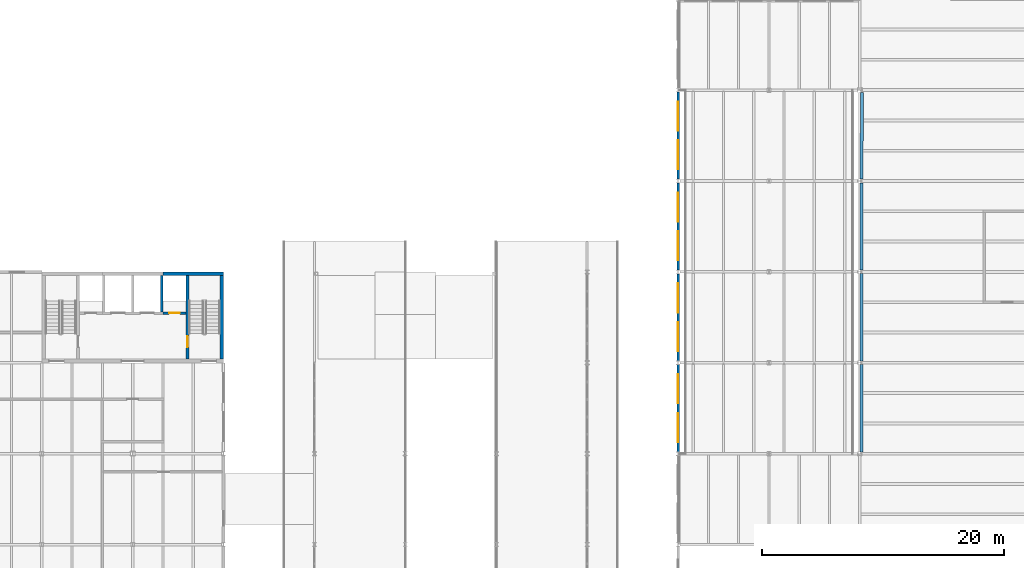
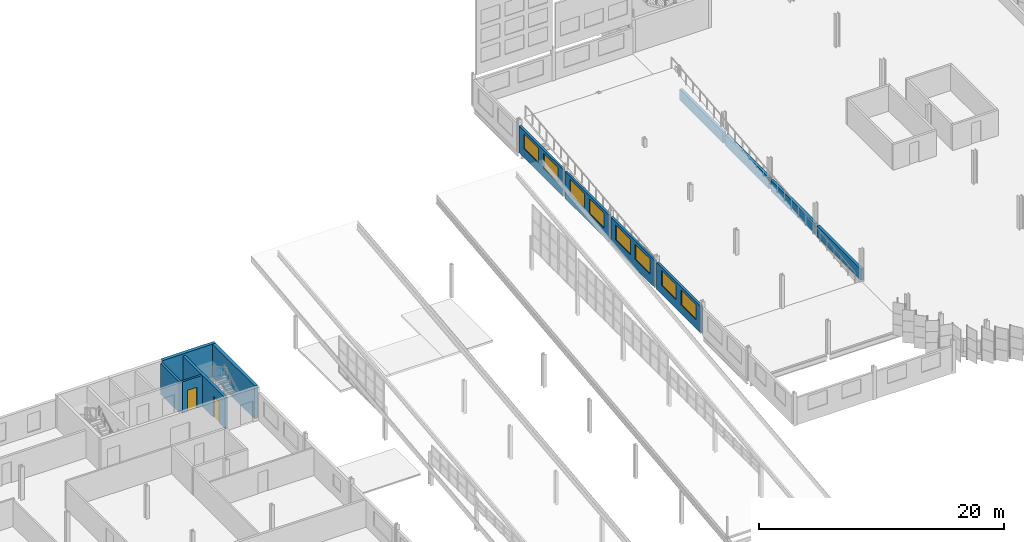
# One storey, part 60 of 199: 13 walls, 8 windows, 2 doors, 10 openings.
"""IFC4 building model written with IfcOpenShell, lengths in metres."""

from ifc_helpers import new_model, si_unit, direction, frame, frame_2d, origin, place, context, subcontext, project, spatial, rectangle, extrude, material, layer, layer_set, type_object, element, fill, save


model = new_model("IFC4")

# Units and contexts
model_context = context("Model", 3, precision=1e-05, world=origin(), true_north=direction((0.0, 1.0)))
body_context = subcontext(model_context, "Body", "Model", "MODEL_VIEW")
ifc_project = project(units=[si_unit("LENGTHUNIT", "METRE"), si_unit("AREAUNIT", "SQUARE_METRE"), si_unit("VOLUMEUNIT", "CUBIC_METRE"), si_unit("PLANEANGLEUNIT", "RADIAN"), si_unit("MASSUNIT", "GRAM", prefix="KILO")], contexts=[model_context])

# Site, building, storey
site_placement = place(None, origin())
site = spatial("IfcSite", under=ifc_project, at=site_placement, CompositionType="ELEMENT")
building_placement = place(site_placement, origin())
building = spatial("IfcBuilding", under=site, at=building_placement, Name="Parallax Yard Mobility Hub", CompositionType="ELEMENT")
storey_placement = place(building_placement, frame((0.0, 0.0, 9.89990234375)))
storey = spatial("IfcBuildingStorey", under=building, at=storey_placement, Name="L03", CompositionType="ELEMENT", Elevation=9.89990234375)

# Walls
ifc_material_1 = material(Name="Concrete fc' 35 MPa", Category="concrete")
ifc_layer_1 = layer(ifc_material_1, 0.300048828125)
ifc_layer_set_1 = layer_set([ifc_layer_1], Name="Concrete fc' 35 MPa core wall 300")
wall_type_1 = type_object("IfcWallType", Name="Concrete fc' 35 MPa core wall 300", PredefinedType="SHEAR", material=ifc_layer_set_1)
wall_1_placement = place(storey_placement, frame((137.5, 52.35009765625, 0.0), z_axis=(0.0, 0.0, 1.0), x_axis=(1.0, 0.0, 0.0)))
element("IfcWall", 1, at=wall_1_placement, inside=storey, type_object=wall_type_1, Name="Core C6-E back wall part 3 level L03", PredefinedType="SHEAR", context=body_context, shape_type="SweptSolid", body=[
    extrude(rectangle(XDim=5.0, YDim=0.300048828125, at=frame_2d((2.5, 0.0))), origin(), (0.0, 0.0, 1.0), 3.300048828125),
])
wall_2_placement = place(storey_placement, frame((142.35009765625, 52.199951171875, 0.0), z_axis=(0.0, 0.0, 1.0), x_axis=(0.0, -1.0, 0.0)))
element("IfcWall", 2, at=wall_2_placement, inside=storey, type_object=wall_type_1, Name="Core C6-E east-side end wall level L03", PredefinedType="SHEAR", context=body_context, shape_type="SweptSolid", body=[
    extrude(rectangle(XDim=6.89990234375, YDim=0.300048828125, at=frame_2d((3.449951171875, 0.0))), origin(), (0.0, 0.0, 1.0), 3.300048828125),
])

# Wall, opening, door
ifc_layer_2 = layer(ifc_material_1, 0.199951171875)
ifc_layer_set_2 = layer_set([ifc_layer_2], Name="Concrete fc' 35 MPa internal core wall 200")
wall_type_2 = type_object("IfcWallType", Name="Concrete fc' 35 MPa internal core wall 200", PredefinedType="STANDARD", material=ifc_layer_set_2)
wall_3_placement = place(storey_placement, frame((139.39990234375, 49.10009765625, 0.0), z_axis=(0.0, 0.0, 1.0), x_axis=(-1.0, 0.0, 0.0)))
wall_3 = element("IfcWall", 3, at=wall_3_placement, inside=storey, type_object=wall_type_2, Name="Core C6-E lift front 3 part 3 level L03", PredefinedType="STANDARD", context=body_context, shape_type="SweptSolid", body=[
    extrude(rectangle(XDim=1.89990234375, YDim=0.199951171875, at=frame_2d((0.949951171875, 0.0))), origin(), (0.0, 0.0, 1.0), 3.10009765625),
])
opening_1_placement = place(wall_3_placement, frame((0.5, 0.0, 0.0)))
opening_1 = element("IfcOpeningElement", 4, at=opening_1_placement, cuts=wall_3, Name="Opening L03-D750", PredefinedType="OPENING", context=body_context, shape_type="SweptSolid", body=[
    extrude(rectangle(XDim=0.89990234375, YDim=2.10009765625, at=frame_2d((0.449951171875, 1.050048828125))), frame((0.0, 0.10986328125, 0.0), z_axis=(0.0, -1.0, 0.0), x_axis=(1.0, 0.0, 0.0)), (0.0, 0.0, 1.0), 0.219970703125),
])
ifc_material_2 = material(Name="Hollow metal steel door and frame", Category="steel")
door_type_1 = type_object("IfcDoorType", Name="Riser door 900 x 2100 FD90", OperationType="NOTDEFINED", PredefinedType="DOOR", material=ifc_material_2)
door_1_placement = place(opening_1_placement, origin())
door_1 = element("IfcDoor", 5, at=door_1_placement, inside=storey, type_object=door_type_1, Name="Riser door L03-D750, core C6-E level L03", OperationType="SINGLE_SWING_LEFT", OverallHeight=2.10009765625, OverallWidth=0.89990234375, PredefinedType="DOOR", context=body_context, shape_type="SweptSolid", body=[
    extrude(rectangle(XDim=0.89990234375, YDim=2.10009765625, at=frame_2d((0.449951171875, 1.050048828125))), frame((0.0, 0.02490234375, 0.0), z_axis=(0.0, -1.0, 0.0), x_axis=(1.0, 0.0, 0.0)), (0.0, 0.0, 1.0), 0.050048828125),
])
fill(opening_1, door_1)

# Wall
wall_4_placement = place(storey_placement, frame((137.39990234375, 49.199951171875, 0.0), z_axis=(0.0, 0.0, 1.0), x_axis=(0.0, 1.0, 0.0)))
element("IfcWall", 6, at=wall_4_placement, inside=storey, type_object=wall_type_2, Name="Core C6-E lift wall 3 part 3 level L03", PredefinedType="STANDARD", context=body_context, shape_type="SweptSolid", body=[
    extrude(rectangle(XDim=3.0, YDim=0.199951171875, at=frame_2d((1.5, 0.0))), origin(), (0.0, 0.0, 1.0), 3.10009765625),
])

# Wall, opening, door
ifc_layer_3 = layer(ifc_material_1, 0.25)
ifc_layer_set_3 = layer_set([ifc_layer_3], Name="Concrete fc' 35 MPa stair enclosure wall 250")
wall_type_3 = type_object("IfcWallType", Name="Concrete fc' 35 MPa stair enclosure wall 250", PredefinedType="STANDARD", material=ifc_layer_set_3)
wall_5_placement = place(storey_placement, frame((139.52490234375, 52.199951171875, 0.0), z_axis=(0.0, 0.0, 1.0), x_axis=(0.0, -1.0, 0.0)))
wall_5 = element("IfcWall", 7, at=wall_5_placement, inside=storey, type_object=wall_type_3, Name="Core C6-E stair 2 partition level L03", PredefinedType="STANDARD", context=body_context, shape_type="SweptSolid", body=[
    extrude(rectangle(XDim=6.89990234375, YDim=0.25, at=frame_2d((3.449951171875, 0.0))), origin(), (0.0, 0.0, 1.0), 3.10009765625),
])
opening_2_placement = place(wall_5_placement, frame((5.0, 0.0, 0.0)))
opening_2 = element("IfcOpeningElement", 8, at=opening_2_placement, cuts=wall_5, Name="Opening L03-D746", PredefinedType="OPENING", context=body_context, shape_type="SweptSolid", body=[
    extrude(rectangle(XDim=0.89990234375, YDim=2.10009765625, at=frame_2d((0.449951171875, 1.050048828125))), frame((0.0, 0.135009765625, 0.0), z_axis=(0.0, -1.0, 0.0), x_axis=(1.0, 0.0, 0.0)), (0.0, 0.0, 1.0), 0.27001953125),
])
door_type_2 = type_object("IfcDoorType", Name="Core door 900 x 2100 FD90", OperationType="NOTDEFINED", PredefinedType="DOOR", material=ifc_material_2)
door_2_placement = place(opening_2_placement, origin())
door_2 = element("IfcDoor", 9, at=door_2_placement, inside=storey, type_object=door_type_2, Name="Stair lobby door L03-D746, core C6-E level L03", OperationType="SINGLE_SWING_RIGHT", OverallHeight=2.10009765625, OverallWidth=0.89990234375, PredefinedType="DOOR", context=body_context, shape_type="SweptSolid", body=[
    extrude(rectangle(XDim=0.89990234375, YDim=2.10009765625, at=frame_2d((0.449951171875, 1.050048828125))), frame((0.0, 0.02490234375, 0.0), z_axis=(0.0, -1.0, 0.0), x_axis=(1.0, 0.0, 0.0)), (0.0, 0.0, 1.0), 0.050048828125),
])
fill(opening_2, door_2)

# Walls
ifc_layer_4 = layer(ifc_material_1, 0.25)
ifc_layer_set_4 = layer_set([ifc_layer_4], Name="Deck-edge barrier wall, Concrete fc' 35 MPa precast, 250")
wall_type_4 = type_object("IfcWallType", Name="Deck-edge barrier wall, Concrete fc' 35 MPa precast, 250", PredefinedType="SOLIDWALL", material=ifc_layer_set_4)
wall_6_placement = place(storey_placement, frame((195.172119140625, 67.314453125, 0.0), z_axis=(0.0, 0.0, 1.0), x_axis=(-0.003681082119, -0.999993224794, 0.0)))
element("IfcWall", 10, at=wall_6_placement, inside=storey, type_object=wall_type_4, Name="Deck-edge barrier wall bay 25 level L03", PredefinedType="SOLIDWALL", context=body_context, shape_type="SweptSolid", body=[
    extrude(rectangle(XDim=7.162841796875, YDim=0.25, at=frame_2d((3.58154296875, 0.0))), origin(), (0.0, 0.0, 1.0), 1.10009765625),
])
for number, where, z_axis, x_axis, name in (
    (11, (195.145751953125, 59.848388671875, 0.0), (0.0, 0.0, 1.0), (0.0, -1.0, 0.0), "Deck-edge barrier wall bay 26 level L03"),
    (12, (195.145751953125, 52.348388671875, 0.0), (0.0, 0.0, 1.0), (0.0, -1.0, 0.0), "Deck-edge barrier wall bay 27 level L03"),
    (13, (195.145751953125, 44.848388671875, 0.0), (0.0, 0.0, 1.0), (0.0, -1.0, 0.0), "Deck-edge barrier wall bay 28 level L03"),
):
    element("IfcWall", number, at=place(storey_placement, frame(where, z_axis=z_axis, x_axis=x_axis)), inside=storey, type_object=wall_type_4, Name=name, PredefinedType="SOLIDWALL", context=body_context, shape_type="SweptSolid", body=[
        extrude(rectangle(XDim=7.19677734375, YDim=0.25, at=frame_2d((3.598388671875, 0.0))), origin(), (0.0, 0.0, 1.0), 1.10009765625),
    ])

# Wall, openings, windows
ifc_layer_5 = layer(ifc_material_1, 0.199951171875)
ifc_layer_set_5 = layer_set([ifc_layer_5], Name="Louvre screen wall, Concrete fc' 35 MPa precast, 200")
wall_type_5 = type_object("IfcWallType", Name="Louvre screen wall, Concrete fc' 35 MPa precast, 200", PredefinedType="SOLIDWALL", material=ifc_layer_set_5)
wall_7_placement = place(storey_placement, frame((180.0, 37.653564453125, 0.0), z_axis=(0.0, 0.0, 1.0), x_axis=(0.0, 1.0, 0.0)))
wall_7 = element("IfcWall", 14, at=wall_7_placement, inside=storey, type_object=wall_type_5, Name="Ramp house west wall bay 3 level L03", PredefinedType="SOLIDWALL", context=body_context, shape_type="SweptSolid", body=[
    extrude(rectangle(XDim=7.19287109375, YDim=0.199951171875, at=frame_2d((3.596435546875, 0.0))), origin(), (0.0, 0.0, 1.0), 2.710205078125),
])
opening_3_placement = place(wall_7_placement, frame((0.797607421875, 0.0, 0.89990234375)))
opening_3 = element("IfcOpeningElement", 15, at=opening_3_placement, cuts=wall_7, Name="Opening W1", PredefinedType="OPENING", context=body_context, shape_type="SweptSolid", body=[
    extrude(rectangle(XDim=2.39990234375, YDim=1.5, at=frame_2d((1.199951171875, 0.75))), frame((0.0, 0.10986328125, 0.0), z_axis=(0.0, -1.0, 0.0), x_axis=(1.0, 0.0, 0.0)), (0.0, 0.0, 1.0), 0.219970703125),
])
opening_4_placement = place(wall_7_placement, frame((3.995361328125, 0.0, 0.89990234375)))
opening_4 = element("IfcOpeningElement", 16, at=opening_4_placement, cuts=wall_7, Name="Opening W1", PredefinedType="OPENING", context=body_context, shape_type="SweptSolid", body=[
    extrude(rectangle(XDim=2.39990234375, YDim=1.5, at=frame_2d((1.199951171875, 0.75))), frame((0.0, 0.10986328125, 0.0), z_axis=(0.0, -1.0, 0.0), x_axis=(1.0, 0.0, 0.0)), (0.0, 0.0, 1.0), 0.219970703125),
])
ifc_material_3 = material(Name="Double glazed low-E unit in thermally broken aluminium frame", Category="aluminium")
window_type = type_object("IfcWindowType", Name="Window 2400 x 1500", PartitioningType="DOUBLE_PANEL_VERTICAL", PredefinedType="WINDOW", material=ifc_material_3)
window_1_placement = place(opening_3_placement, origin())
window_1 = element("IfcWindow", 17, at=window_1_placement, inside=storey, type_object=window_type, Name="Window W1 level L03", OverallHeight=1.5, OverallWidth=2.39990234375, PartitioningType="DOUBLE_PANEL_VERTICAL", PredefinedType="WINDOW", context=body_context, shape_type="SweptSolid", body=[
    extrude(rectangle(XDim=2.39990234375, YDim=1.5, at=frame_2d((1.199951171875, 0.75))), frame((0.0, 0.030029296875, 0.0), z_axis=(0.0, -1.0, 0.0), x_axis=(1.0, 0.0, 0.0)), (0.0, 0.0, 1.0), 0.06005859375),
])
fill(opening_3, window_1)
window_2_placement = place(opening_4_placement, origin())
window_2 = element("IfcWindow", 18, at=window_2_placement, inside=storey, type_object=window_type, Name="Window W1 level L03", OverallHeight=1.5, OverallWidth=2.39990234375, PartitioningType="DOUBLE_PANEL_VERTICAL", PredefinedType="WINDOW", context=body_context, shape_type="SweptSolid", body=[
    extrude(rectangle(XDim=2.39990234375, YDim=1.5, at=frame_2d((1.199951171875, 0.75))), frame((0.0, 0.030029296875, 0.0), z_axis=(0.0, -1.0, 0.0), x_axis=(1.0, 0.0, 0.0)), (0.0, 0.0, 1.0), 0.06005859375),
])
fill(opening_4, window_2)

wall_8_placement = place(storey_placement, frame((180.0, 45.153564453125, 0.0), z_axis=(0.0, 0.0, 1.0), x_axis=(0.0, 1.0, 0.0)))
wall_8 = element("IfcWall", 19, at=wall_8_placement, inside=storey, type_object=wall_type_5, Name="Ramp house west wall bay 4 level L03", PredefinedType="SOLIDWALL", context=body_context, shape_type="SweptSolid", body=[
    extrude(rectangle(XDim=7.19287109375, YDim=0.199951171875, at=frame_2d((3.596435546875, 0.0))), origin(), (0.0, 0.0, 1.0), 2.710205078125),
])
opening_5_placement = place(wall_8_placement, frame((0.797607421875, 0.0, 0.89990234375)))
opening_5 = element("IfcOpeningElement", 20, at=opening_5_placement, cuts=wall_8, Name="Opening W1", PredefinedType="OPENING", context=body_context, shape_type="SweptSolid", body=[
    extrude(rectangle(XDim=2.39990234375, YDim=1.5, at=frame_2d((1.199951171875, 0.75))), frame((0.0, 0.10986328125, 0.0), z_axis=(0.0, -1.0, 0.0), x_axis=(1.0, 0.0, 0.0)), (0.0, 0.0, 1.0), 0.219970703125),
])
opening_6_placement = place(wall_8_placement, frame((3.995361328125, 0.0, 0.89990234375)))
opening_6 = element("IfcOpeningElement", 21, at=opening_6_placement, cuts=wall_8, Name="Opening W1", PredefinedType="OPENING", context=body_context, shape_type="SweptSolid", body=[
    extrude(rectangle(XDim=2.39990234375, YDim=1.5, at=frame_2d((1.199951171875, 0.75))), frame((0.0, 0.10986328125, 0.0), z_axis=(0.0, -1.0, 0.0), x_axis=(1.0, 0.0, 0.0)), (0.0, 0.0, 1.0), 0.219970703125),
])
window_3_placement = place(opening_5_placement, origin())
window_3 = element("IfcWindow", 22, at=window_3_placement, inside=storey, type_object=window_type, Name="Window W1 level L03", OverallHeight=1.5, OverallWidth=2.39990234375, PartitioningType="DOUBLE_PANEL_VERTICAL", PredefinedType="WINDOW", context=body_context, shape_type="SweptSolid", body=[
    extrude(rectangle(XDim=2.39990234375, YDim=1.5, at=frame_2d((1.199951171875, 0.75))), frame((0.0, 0.030029296875, 0.0), z_axis=(0.0, -1.0, 0.0), x_axis=(1.0, 0.0, 0.0)), (0.0, 0.0, 1.0), 0.06005859375),
])
fill(opening_5, window_3)
window_4_placement = place(opening_6_placement, origin())
window_4 = element("IfcWindow", 23, at=window_4_placement, inside=storey, type_object=window_type, Name="Window W1 level L03", OverallHeight=1.5, OverallWidth=2.39990234375, PartitioningType="DOUBLE_PANEL_VERTICAL", PredefinedType="WINDOW", context=body_context, shape_type="SweptSolid", body=[
    extrude(rectangle(XDim=2.39990234375, YDim=1.5, at=frame_2d((1.199951171875, 0.75))), frame((0.0, 0.030029296875, 0.0), z_axis=(0.0, -1.0, 0.0), x_axis=(1.0, 0.0, 0.0)), (0.0, 0.0, 1.0), 0.06005859375),
])
fill(opening_6, window_4)

wall_9_placement = place(storey_placement, frame((180.0, 52.653564453125, 0.0), z_axis=(0.0, 0.0, 1.0), x_axis=(0.0, 1.0, 0.0)))
wall_9 = element("IfcWall", 24, at=wall_9_placement, inside=storey, type_object=wall_type_5, Name="Ramp house west wall bay 5 level L03", PredefinedType="SOLIDWALL", context=body_context, shape_type="SweptSolid", body=[
    extrude(rectangle(XDim=7.19287109375, YDim=0.199951171875, at=frame_2d((3.596435546875, 0.0))), origin(), (0.0, 0.0, 1.0), 2.710205078125),
])
opening_7_placement = place(wall_9_placement, frame((0.797607421875, 0.0, 0.89990234375)))
opening_7 = element("IfcOpeningElement", 25, at=opening_7_placement, cuts=wall_9, Name="Opening W1", PredefinedType="OPENING", context=body_context, shape_type="SweptSolid", body=[
    extrude(rectangle(XDim=2.39990234375, YDim=1.5, at=frame_2d((1.199951171875, 0.75))), frame((0.0, 0.10986328125, 0.0), z_axis=(0.0, -1.0, 0.0), x_axis=(1.0, 0.0, 0.0)), (0.0, 0.0, 1.0), 0.219970703125),
])
opening_8_placement = place(wall_9_placement, frame((3.995361328125, 0.0, 0.89990234375)))
opening_8 = element("IfcOpeningElement", 26, at=opening_8_placement, cuts=wall_9, Name="Opening W1", PredefinedType="OPENING", context=body_context, shape_type="SweptSolid", body=[
    extrude(rectangle(XDim=2.39990234375, YDim=1.5, at=frame_2d((1.199951171875, 0.75))), frame((0.0, 0.10986328125, 0.0), z_axis=(0.0, -1.0, 0.0), x_axis=(1.0, 0.0, 0.0)), (0.0, 0.0, 1.0), 0.219970703125),
])
window_5_placement = place(opening_7_placement, origin())
window_5 = element("IfcWindow", 27, at=window_5_placement, inside=storey, type_object=window_type, Name="Window W1 level L03", OverallHeight=1.5, OverallWidth=2.39990234375, PartitioningType="DOUBLE_PANEL_VERTICAL", PredefinedType="WINDOW", context=body_context, shape_type="SweptSolid", body=[
    extrude(rectangle(XDim=2.39990234375, YDim=1.5, at=frame_2d((1.199951171875, 0.75))), frame((0.0, 0.030029296875, 0.0), z_axis=(0.0, -1.0, 0.0), x_axis=(1.0, 0.0, 0.0)), (0.0, 0.0, 1.0), 0.06005859375),
])
fill(opening_7, window_5)
window_6_placement = place(opening_8_placement, origin())
window_6 = element("IfcWindow", 28, at=window_6_placement, inside=storey, type_object=window_type, Name="Window W1 level L03", OverallHeight=1.5, OverallWidth=2.39990234375, PartitioningType="DOUBLE_PANEL_VERTICAL", PredefinedType="WINDOW", context=body_context, shape_type="SweptSolid", body=[
    extrude(rectangle(XDim=2.39990234375, YDim=1.5, at=frame_2d((1.199951171875, 0.75))), frame((0.0, 0.030029296875, 0.0), z_axis=(0.0, -1.0, 0.0), x_axis=(1.0, 0.0, 0.0)), (0.0, 0.0, 1.0), 0.06005859375),
])
fill(opening_8, window_6)

wall_10_placement = place(storey_placement, frame((180.0, 60.153564453125, 0.0), z_axis=(0.0, 0.0, 1.0), x_axis=(0.0, 1.0, 0.0)))
wall_10 = element("IfcWall", 29, at=wall_10_placement, inside=storey, type_object=wall_type_5, Name="Ramp house west wall bay 6 level L03", PredefinedType="SOLIDWALL", context=body_context, shape_type="SweptSolid", body=[
    extrude(rectangle(XDim=7.19287109375, YDim=0.199951171875, at=frame_2d((3.596435546875, 0.0))), origin(), (0.0, 0.0, 1.0), 2.710205078125),
])
opening_9_placement = place(wall_10_placement, frame((0.797607421875, 0.0, 0.89990234375)))
opening_9 = element("IfcOpeningElement", 30, at=opening_9_placement, cuts=wall_10, Name="Opening W1", PredefinedType="OPENING", context=body_context, shape_type="SweptSolid", body=[
    extrude(rectangle(XDim=2.39990234375, YDim=1.5, at=frame_2d((1.199951171875, 0.75))), frame((0.0, 0.10986328125, 0.0), z_axis=(0.0, -1.0, 0.0), x_axis=(1.0, 0.0, 0.0)), (0.0, 0.0, 1.0), 0.219970703125),
])
opening_10_placement = place(wall_10_placement, frame((3.995361328125, 0.0, 0.89990234375)))
opening_10 = element("IfcOpeningElement", 31, at=opening_10_placement, cuts=wall_10, Name="Opening W1", PredefinedType="OPENING", context=body_context, shape_type="SweptSolid", body=[
    extrude(rectangle(XDim=2.39990234375, YDim=1.5, at=frame_2d((1.199951171875, 0.75))), frame((0.0, 0.10986328125, 0.0), z_axis=(0.0, -1.0, 0.0), x_axis=(1.0, 0.0, 0.0)), (0.0, 0.0, 1.0), 0.219970703125),
])
window_7_placement = place(opening_9_placement, origin())
window_7 = element("IfcWindow", 32, at=window_7_placement, inside=storey, type_object=window_type, Name="Window W1 level L03", OverallHeight=1.5, OverallWidth=2.39990234375, PartitioningType="DOUBLE_PANEL_VERTICAL", PredefinedType="WINDOW", context=body_context, shape_type="SweptSolid", body=[
    extrude(rectangle(XDim=2.39990234375, YDim=1.5, at=frame_2d((1.199951171875, 0.75))), frame((0.0, 0.030029296875, 0.0), z_axis=(0.0, -1.0, 0.0), x_axis=(1.0, 0.0, 0.0)), (0.0, 0.0, 1.0), 0.06005859375),
])
fill(opening_9, window_7)
window_8_placement = place(opening_10_placement, origin())
window_8 = element("IfcWindow", 33, at=window_8_placement, inside=storey, type_object=window_type, Name="Window W1 level L03", OverallHeight=1.5, OverallWidth=2.39990234375, PartitioningType="DOUBLE_PANEL_VERTICAL", PredefinedType="WINDOW", context=body_context, shape_type="SweptSolid", body=[
    extrude(rectangle(XDim=2.39990234375, YDim=1.5, at=frame_2d((1.199951171875, 0.75))), frame((0.0, 0.030029296875, 0.0), z_axis=(0.0, -1.0, 0.0), x_axis=(1.0, 0.0, 0.0)), (0.0, 0.0, 1.0), 0.06005859375),
])
fill(opening_10, window_8)

save(model, "model.ifc")
